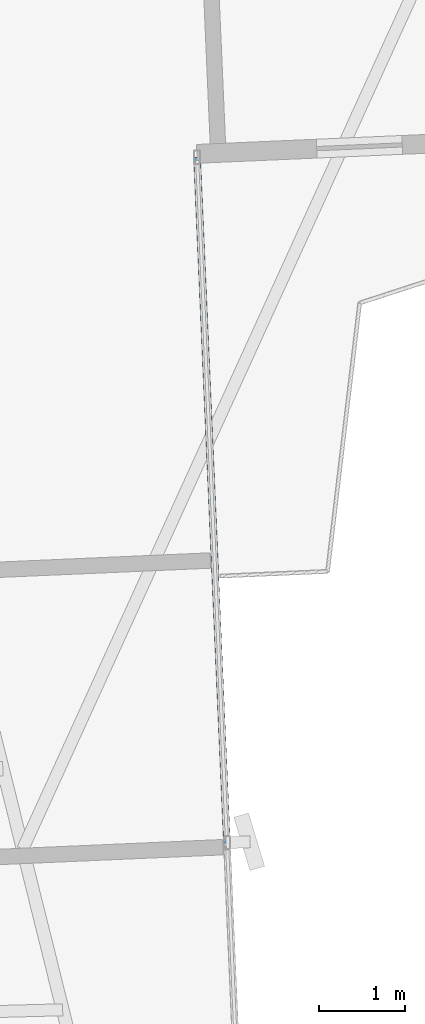
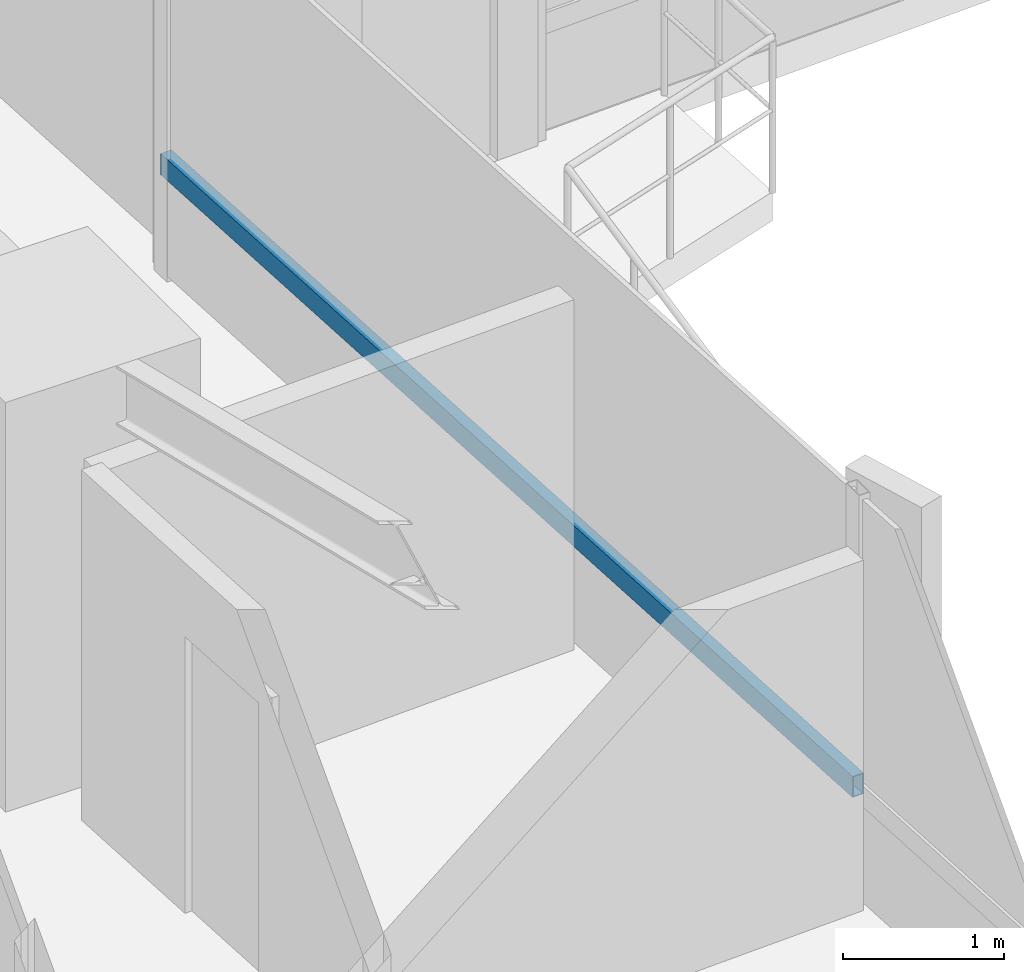
# One storey, part 7 of 26: 1 member, 1 element without a shape of its own.
"""IFC4 building model written with IfcOpenShell, lengths in metres."""

from ifc_helpers import new_model, si_unit, direction, frame, origin, origin_2d, place, context, subcontext, project, spatial, hollow_rectangle, extrude, source, transform, mapped, material, material_profile, profile_set, type_object, element, aggregate, save


model = new_model("IFC4")

# Units and contexts
model_context = context("Model", 3, precision=1e-05, world=origin(), true_north=direction((0.0, 1.0)))
body_context = subcontext(model_context, "Body", "Model", "MODEL_VIEW")
ifc_project = project(units=[si_unit("LENGTHUNIT", "METRE"), si_unit("AREAUNIT", "SQUARE_METRE"), si_unit("VOLUMEUNIT", "CUBIC_METRE"), si_unit("PLANEANGLEUNIT", "RADIAN"), si_unit("MASSUNIT", "GRAM", prefix="KILO")], contexts=[model_context])

# Site, building, storey
site_placement = place(None, origin())
site = spatial("IfcSite", under=ifc_project, at=site_placement, CompositionType="ELEMENT")
building_placement = place(site_placement, origin())
building = spatial("IfcBuilding", under=site, at=building_placement, Name="Sahyath Konkavel Grand Hotel", CompositionType="ELEMENT")
storey_placement = place(building_placement, frame((0.0, 0.0, 118.14990234375)))
storey = spatial("IfcBuildingStorey", under=building, at=storey_placement, Name="L32", CompositionType="ELEMENT", Elevation=118.14990234375)

# Curtain wall, member
ifc_material_1 = material(Name="Anodised Bronze Aluminium & Low-E Glazing", Category="aluminium")
curtain_wall_type = type_object("IfcCurtainWallType", Name="CW-ZONE2", PredefinedType="NOTDEFINED", material=ifc_material_1)
curtain_wall_placement = place(storey_placement, origin())
curtain_wall = element("IfcCurtainWall", 1, at=curtain_wall_placement, inside=storey, type_object=curtain_wall_type, Name="L32 Unitised Curtain Wall F31", PredefinedType="NOTDEFINED")
ifc_material_2 = material(Name="Anodised Bronze Aluminium", Category="aluminium")
ifc_material_profile = material_profile(ifc_material_2, hollow_rectangle(XDim=0.080078125, YDim=0.159912109375, WallThickness=0.006103515625, at=origin_2d()), Name="RHS 160x80x6")
ifc_profile_set = profile_set([ifc_material_profile], Name="Anodised Bronze Aluminium")
member_type = type_object("IfcMemberType", Name="CW-TRN-160", PredefinedType="USERDEFINED", material=ifc_profile_set)
shared_shape = source(origin(), body_context, "Body", "SweptSolid", [
    extrude(hollow_rectangle(XDim=0.080078125, YDim=0.159912109375, WallThickness=0.006103515625, at=origin_2d()), origin(), (0.0, 0.0, 1.0), 8.010009765625),
])
member_placement = place(storey_placement, frame((7.232666015625, -14.34814453125, 0.85009765625), z_axis=(-0.043615785896, 0.999048378819, 0.0), x_axis=(-0.999048378819, -0.043615785896, 0.0)))
member = element("IfcMember", 2, at=member_placement, type_object=member_type, Name="L32 Curtain Wall Transom F31-1-spandrel", ObjectType="TRANSOM", PredefinedType="USERDEFINED", context=body_context, shape_type="MappedRepresentation", body=[
    mapped(shared_shape, transform((0.0, 0.0, 0.0), scale=1.0)),
])
aggregate(curtain_wall, [member])

save(model, "model.ifc")
